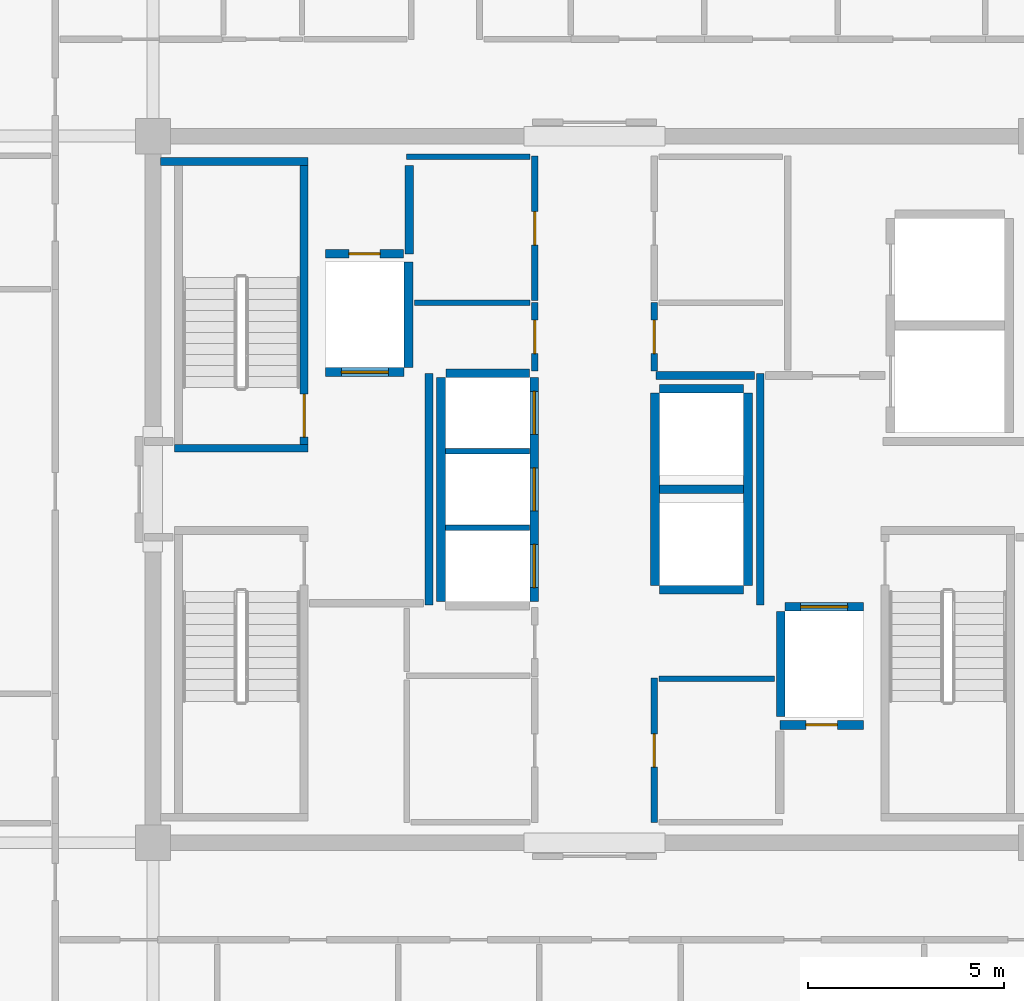
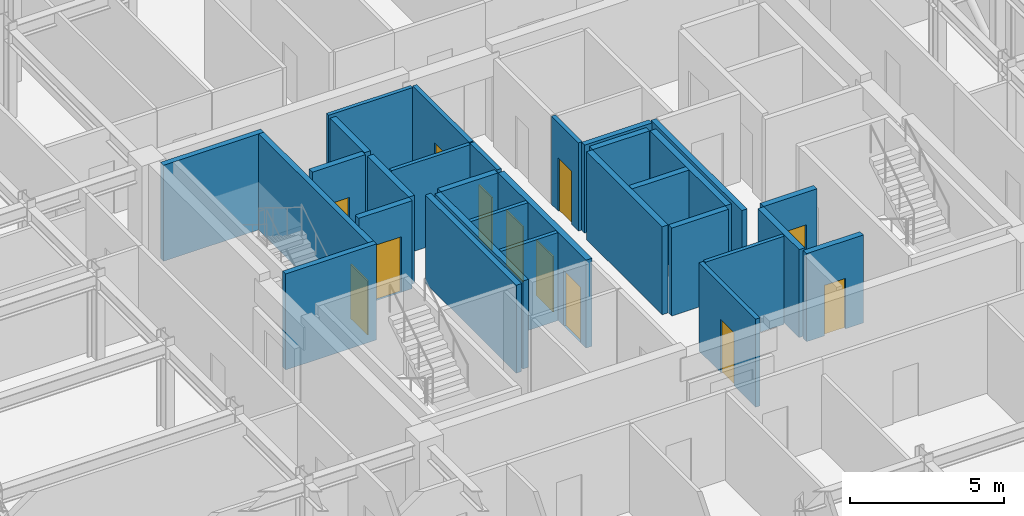
# One storey, part 12 of 16: 30 walls, 12 doors, 12 openings.
"""IFC4 building model written with IfcOpenShell, lengths in metres."""

from ifc_helpers import new_model, si_unit, direction, frame, frame_2d, origin, place, context, subcontext, project, spatial, rectangle, extrude, source, transform, mapped, material, layer, layer_set, type_object, element, fill, save


model = new_model("IFC4")

# Units and contexts
model_context = context("Model", 3, precision=1e-05, world=origin(), true_north=direction((0.0, 1.0)))
body_context = subcontext(model_context, "Body", "Model", "MODEL_VIEW")
ifc_project = project(units=[si_unit("LENGTHUNIT", "METRE"), si_unit("AREAUNIT", "SQUARE_METRE"), si_unit("VOLUMEUNIT", "CUBIC_METRE"), si_unit("PLANEANGLEUNIT", "RADIAN"), si_unit("MASSUNIT", "GRAM", prefix="KILO")], contexts=[model_context])

# Site, building, storey
site_placement = place(None, origin())
site = spatial("IfcSite", under=ifc_project, at=site_placement, CompositionType="ELEMENT")
building_placement = place(site_placement, origin())
building = spatial("IfcBuilding", under=site, at=building_placement, Name="Nefas-Gora Pilgrimage Tower", CompositionType="ELEMENT")
storey_placement = place(building_placement, frame((0.0, 0.0, 345.199951171875)))
storey = spatial("IfcBuildingStorey", under=building, at=storey_placement, Name="L87", CompositionType="ELEMENT", Elevation=345.199951171875)

# Wall
ifc_material_1 = material(Name="Concrete C45/55", Category="concrete")
ifc_layer_1 = layer(ifc_material_1, 0.199951171875)
ifc_layer_set_1 = layer_set([ifc_layer_1], Name="Concrete C45/55")
wall_type_1 = type_object("IfcWallType", Name="IW-STAIR-200", PredefinedType="SOLIDWALL", material=ifc_layer_set_1)
shared_shape_1 = source(origin(), body_context, "Body", "SweptSolid", [
    extrude(rectangle(XDim=3.39990234375, YDim=0.199951171875, at=frame_2d((1.699951171875, 0.0))), origin(), (0.0, 0.0, 1.0), 3.800048828125),
])
wall_1_placement = place(storey_placement, frame((-7.300048828125, 1.050048828125, 0.0), z_axis=(0.0, 0.0, 1.0), x_axis=(-1.0, 0.0, 0.0)))
element("IfcWall", 1, at=wall_1_placement, inside=storey, type_object=wall_type_1, Name="L87 Stairwell Shear Wall ST-01-near", PredefinedType="SOLIDWALL", context=body_context, shape_type="MappedRepresentation", body=[
    mapped(shared_shape_1, transform((0.0, 0.0, 0.0), x_axis=(1.0, 0.0, 0.0), y_axis=(0.0, 1.0, 0.0), z_axis=(0.0, 0.0, 1.0), scale=1.0)),
])

# Wall, opening, door
shared_shape_2 = source(origin(), body_context, "Body", "SweptSolid", [
    extrude(rectangle(XDim=7.10009765625, YDim=0.199951171875, at=frame_2d((3.550048828125, 0.0))), origin(), (0.0, 0.0, 1.0), 3.800048828125),
])
wall_2_placement = place(storey_placement, frame((-7.39990234375, 1.14990234375, 0.0), z_axis=(0.0, 0.0, 1.0), x_axis=(0.0, 1.0, 0.0)))
wall_2 = element("IfcWall", 2, at=wall_2_placement, inside=storey, type_object=wall_type_1, Name="L87 Stairwell Shear Wall ST-01-left", PredefinedType="SOLIDWALL", context=body_context, shape_type="MappedRepresentation", body=[
    mapped(shared_shape_2, transform((0.0, 0.0, 0.0), x_axis=(1.0, 0.0, 0.0), y_axis=(0.0, 1.0, 0.0), z_axis=(0.0, 0.0, 1.0), scale=1.0)),
])
opening_1_placement = place(wall_2_placement, frame((0.179931640625, 0.0, 0.0)))
opening_1 = element("IfcOpeningElement", 3, at=opening_1_placement, cuts=wall_2, Name="Opening ID-ST1", PredefinedType="OPENING", context=body_context, shape_type="SweptSolid", body=[
    extrude(rectangle(XDim=1.10009765625, YDim=2.14990234375, at=frame_2d((0.550048828125, 1.074951171875))), frame((0.0, 0.10986328125, 0.0), z_axis=(0.0, -1.0, 0.0), x_axis=(1.0, 0.0, 0.0)), (0.0, 0.0, 1.0), 0.219970703125),
])
ifc_material_2 = material(Name="Painted galvanised steel fire stair door", Category="steel")
door_type_1 = type_object("IfcDoorType", Name="DR-INT-STAIR-1100", OperationType="NOTDEFINED", PredefinedType="DOOR", material=ifc_material_2)
shared_shape_3 = source(origin(), body_context, "Body", "SweptSolid", [
    extrude(rectangle(XDim=1.10009765625, YDim=2.14990234375, at=frame_2d((0.550048828125, 1.074951171875))), frame((0.0, 0.02490234375, 0.0), z_axis=(0.0, -1.0, 0.0), x_axis=(1.0, 0.0, 0.0)), (0.0, 0.0, 1.0), 0.050048828125),
])
door_1_placement = place(opening_1_placement, origin())
door_1 = element("IfcDoor", 4, at=door_1_placement, inside=storey, type_object=door_type_1, Name="L87 Protected Exit Stair Door ST-01", OperationType="SINGLE_SWING_LEFT", OverallHeight=2.14990234375, OverallWidth=1.10009765625, PredefinedType="DOOR", context=body_context, shape_type="MappedRepresentation", body=[
    mapped(shared_shape_3, transform((0.0, 0.0, 0.0), x_axis=(1.0, 0.0, 0.0), y_axis=(0.0, 1.0, 0.0), z_axis=(0.0, 0.0, 1.0), scale=1.0)),
])
fill(opening_1, door_1)

# Wall
shared_shape_4 = source(origin(), body_context, "Body", "SweptSolid", [
    extrude(rectangle(XDim=3.7548828125, YDim=0.199951171875, at=frame_2d((1.87744140625, 0.0))), origin(), (0.0, 0.0, 1.0), 3.800048828125),
])
wall_3_placement = place(storey_placement, frame((-7.300048828125, 8.35009765625, 0.0), z_axis=(0.0, 0.0, 1.0), x_axis=(-1.0, 0.0, 0.0)))
element("IfcWall", 5, at=wall_3_placement, inside=storey, type_object=wall_type_1, Name="L87 Stairwell Shear Wall ST-01-far", PredefinedType="SOLIDWALL", context=body_context, shape_type="MappedRepresentation", body=[
    mapped(shared_shape_4, transform((0.0, 0.0, 0.0), x_axis=(1.0, 0.0, 0.0), y_axis=(0.0, 1.0, 0.0), z_axis=(0.0, 0.0, 1.0), scale=1.0)),
])

# Wall, opening, door
ifc_material_3 = material(Name="Concrete C40/50", Category="concrete")
ifc_layer_2 = layer(ifc_material_3, 0.219970703125)
ifc_layer_set_2 = layer_set([ifc_layer_2], Name="Concrete C40/50")
wall_type_2 = type_object("IfcWallType", Name="IW-SHAFT-220", PredefinedType="SOLIDWALL", material=ifc_layer_set_2)
shared_shape_5 = source(origin(), body_context, "Body", "SweptSolid", [
    extrude(rectangle(XDim=2.0, YDim=0.219970703125, at=frame_2d((1.0, 0.0))), origin(), (0.0, 0.0, 1.0), 3.485107421875),
])
wall_4_placement = place(storey_placement, frame((-6.85009765625, 2.989990234375, 0.0), z_axis=(0.0, 0.0, 1.0), x_axis=(1.0, 0.0, 0.0)))
wall_4 = element("IfcWall", 6, at=wall_4_placement, inside=storey, type_object=wall_type_2, Name="L87 Hoistway Wall FFL-01-S", PredefinedType="SOLIDWALL", context=body_context, shape_type="MappedRepresentation", body=[
    mapped(shared_shape_5, transform((0.0, 0.0, 0.0), x_axis=(1.0, 0.0, 0.0), y_axis=(0.0, 1.0, 0.0), z_axis=(0.0, 0.0, 1.0), scale=1.0)),
])
opening_2_placement = place(wall_4_placement, frame((0.39990234375, 0.0, 0.0)))
opening_2 = element("IfcOpeningElement", 7, at=opening_2_placement, cuts=wall_4, Name="Opening LD-FF", PredefinedType="OPENING", context=body_context, shape_type="SweptSolid", body=[
    extrude(rectangle(XDim=1.199951171875, YDim=2.199951171875, at=frame_2d((0.60009765625, 1.10009765625))), frame((0.0, 0.119873046875, 0.0), z_axis=(0.0, -1.0, 0.0), x_axis=(1.0, 0.0, 0.0)), (0.0, 0.0, 1.0), 0.239990234375),
])
ifc_material_4 = material(Name="Fire-service sliding lift landing door")
door_type_2 = type_object("IfcDoorType", Name="DR-LIFT-FSAE-1200", OperationType="SLIDING_TO_LEFT", PredefinedType="DOOR", material=ifc_material_4)
shared_shape_6 = source(origin(), body_context, "Body", "SweptSolid", [
    extrude(rectangle(XDim=1.199951171875, YDim=2.199951171875, at=frame_2d((0.60009765625, 1.10009765625))), frame((0.0, 0.02490234375, 0.0), z_axis=(0.0, -1.0, 0.0), x_axis=(1.0, 0.0, 0.0)), (0.0, 0.0, 1.0), 0.050048828125),
])
door_2_placement = place(opening_2_placement, origin())
door_2 = element("IfcDoor", 8, at=door_2_placement, inside=storey, type_object=door_type_2, Name="L87 Sliding Lift Landing Door FFL-01", OperationType="SLIDING_TO_LEFT", OverallHeight=2.199951171875, OverallWidth=1.199951171875, PredefinedType="DOOR", context=body_context, shape_type="MappedRepresentation", body=[
    mapped(shared_shape_6, transform((0.0, 0.0, 0.0), x_axis=(1.0, 0.0, 0.0), y_axis=(0.0, 1.0, 0.0), z_axis=(0.0, 0.0, 1.0), scale=1.0)),
])
fill(opening_2, door_2)

wall_5_placement = place(storey_placement, frame((6.85009765625, -2.989990234375, 0.0), z_axis=(0.0, 0.0, 1.0), x_axis=(-1.0, 0.0, 0.0)))
wall_5 = element("IfcWall", 9, at=wall_5_placement, inside=storey, type_object=wall_type_2, Name="L87 Hoistway Wall FFL-02-N", PredefinedType="SOLIDWALL", context=body_context, shape_type="MappedRepresentation", body=[
    mapped(shared_shape_5, transform((0.0, 0.0, 0.0), x_axis=(1.0, 0.0, 0.0), y_axis=(0.0, 1.0, 0.0), z_axis=(0.0, 0.0, 1.0), scale=1.0)),
])
opening_3_placement = place(wall_5_placement, frame((0.39990234375, 0.0, 0.0)))
opening_3 = element("IfcOpeningElement", 10, at=opening_3_placement, cuts=wall_5, Name="Opening LD-FF", PredefinedType="OPENING", context=body_context, shape_type="SweptSolid", body=[
    extrude(rectangle(XDim=1.199951171875, YDim=2.199951171875, at=frame_2d((0.60009765625, 1.10009765625))), frame((0.0, 0.119873046875, 0.0), z_axis=(0.0, -1.0, 0.0), x_axis=(1.0, 0.0, 0.0)), (0.0, 0.0, 1.0), 0.239990234375),
])
door_3_placement = place(opening_3_placement, origin())
door_3 = element("IfcDoor", 11, at=door_3_placement, inside=storey, type_object=door_type_2, Name="L87 Sliding Lift Landing Door FFL-02", OperationType="SLIDING_TO_LEFT", OverallHeight=2.199951171875, OverallWidth=1.199951171875, PredefinedType="DOOR", context=body_context, shape_type="MappedRepresentation", body=[
    mapped(shared_shape_6, transform((0.0, 0.0, 0.0), x_axis=(1.0, 0.0, 0.0), y_axis=(0.0, 1.0, 0.0), z_axis=(0.0, 0.0, 1.0), scale=1.0)),
])
fill(opening_3, door_3)

# Walls
shared_shape_7 = source(origin(), body_context, "Body", "SweptSolid", [
    extrude(rectangle(XDim=2.679931640625, YDim=0.219970703125, at=frame_2d((1.33984375, 0.0))), origin(), (0.0, 0.0, 1.0), 3.485107421875),
])
for number, where, z_axis, x_axis, name in (
    (12, (-4.739990234375, 3.110107421875, 0.0), (0.0, 0.0, 1.0), (0.0, 1.0, 0.0), "L87 Hoistway Wall FFL-01-E"),
    (13, (4.739990234375, -3.110107421875, 0.0), (0.0, 0.0, 1.0), (0.0, -1.0, 0.0), "L87 Hoistway Wall FFL-02-W"),
):
    element("IfcWall", number, at=place(storey_placement, frame(where, z_axis=z_axis, x_axis=x_axis)), inside=storey, type_object=wall_type_2, Name=name, PredefinedType="SOLIDWALL", context=body_context, shape_type="MappedRepresentation", body=[
        mapped(shared_shape_7, transform((0.0, 0.0, 0.0), x_axis=(1.0, 0.0, 0.0), y_axis=(0.0, 1.0, 0.0), z_axis=(0.0, 0.0, 1.0), scale=1.0)),
    ])

# Wall, openings, doors
shared_shape_8 = source(origin(), body_context, "Body", "SweptSolid", [
    extrude(rectangle(XDim=5.7001953125, YDim=0.219970703125, at=frame_2d((2.85009765625, 0.0))), origin(), (0.0, 0.0, 1.0), 3.485107421875),
])
wall_6_placement = place(storey_placement, frame((-1.5400390625, -2.85009765625, 0.0), z_axis=(0.0, 0.0, 1.0), x_axis=(0.0, 1.0, 0.0)))
wall_6 = element("IfcWall", 14, at=wall_6_placement, inside=storey, type_object=wall_type_2, Name="L87 Hoistway Wall PL3-01-03-E", PredefinedType="SOLIDWALL", context=body_context, shape_type="MappedRepresentation", body=[
    mapped(shared_shape_8, transform((0.0, 0.0, 0.0), x_axis=(1.0, 0.0, 0.0), y_axis=(0.0, 1.0, 0.0), z_axis=(0.0, 0.0, 1.0), scale=1.0)),
])
opening_4_placement = place(wall_6_placement, frame((0.35009765625, 0.0, 0.0)))
opening_4 = element("IfcOpeningElement", 15, at=opening_4_placement, cuts=wall_6, Name="Opening LD-01", PredefinedType="OPENING", context=body_context, shape_type="SweptSolid", body=[
    extrude(rectangle(XDim=1.10009765625, YDim=2.199951171875, at=frame_2d((0.550048828125, 1.10009765625))), frame((0.0, 0.119873046875, 0.0), z_axis=(0.0, -1.0, 0.0), x_axis=(1.0, 0.0, 0.0)), (0.0, 0.0, 1.0), 0.239990234375),
])
opening_5_placement = place(wall_6_placement, frame((2.300048828125, 0.0, 0.0)))
opening_5 = element("IfcOpeningElement", 16, at=opening_5_placement, cuts=wall_6, Name="Opening LD-01", PredefinedType="OPENING", context=body_context, shape_type="SweptSolid", body=[
    extrude(rectangle(XDim=1.10009765625, YDim=2.199951171875, at=frame_2d((0.550048828125, 1.10009765625))), frame((0.0, 0.119873046875, 0.0), z_axis=(0.0, -1.0, 0.0), x_axis=(1.0, 0.0, 0.0)), (0.0, 0.0, 1.0), 0.239990234375),
])
opening_6_placement = place(wall_6_placement, frame((4.25, 0.0, 0.0)))
opening_6 = element("IfcOpeningElement", 17, at=opening_6_placement, cuts=wall_6, Name="Opening LD-01", PredefinedType="OPENING", context=body_context, shape_type="SweptSolid", body=[
    extrude(rectangle(XDim=1.10009765625, YDim=2.199951171875, at=frame_2d((0.550048828125, 1.10009765625))), frame((0.0, 0.119873046875, 0.0), z_axis=(0.0, -1.0, 0.0), x_axis=(1.0, 0.0, 0.0)), (0.0, 0.0, 1.0), 0.239990234375),
])
ifc_material_5 = material(Name="Brushed stainless sliding lift landing door")
door_type_3 = type_object("IfcDoorType", Name="DR-LIFT-PASS-1100", OperationType="DOUBLE_DOOR_SLIDING", PredefinedType="DOOR", material=ifc_material_5)
shared_shape_9 = source(origin(), body_context, "Body", "SweptSolid", [
    extrude(rectangle(XDim=1.10009765625, YDim=2.199951171875, at=frame_2d((0.550048828125, 1.10009765625))), frame((0.0, 0.02490234375, 0.0), z_axis=(0.0, -1.0, 0.0), x_axis=(1.0, 0.0, 0.0)), (0.0, 0.0, 1.0), 0.050048828125),
])
door_4_placement = place(opening_4_placement, origin())
door_4 = element("IfcDoor", 18, at=door_4_placement, inside=storey, type_object=door_type_3, Name="L87 Sliding Lift Landing Door PL3-01", OperationType="DOUBLE_DOOR_SLIDING", OverallHeight=2.199951171875, OverallWidth=1.10009765625, PredefinedType="DOOR", context=body_context, shape_type="MappedRepresentation", body=[
    mapped(shared_shape_9, transform((0.0, 0.0, 0.0), x_axis=(1.0, 0.0, 0.0), y_axis=(0.0, 1.0, 0.0), z_axis=(0.0, 0.0, 1.0), scale=1.0)),
])
fill(opening_4, door_4)
door_5_placement = place(opening_5_placement, origin())
door_5 = element("IfcDoor", 19, at=door_5_placement, inside=storey, type_object=door_type_3, Name="L87 Sliding Lift Landing Door PL3-02", OperationType="DOUBLE_DOOR_SLIDING", OverallHeight=2.199951171875, OverallWidth=1.10009765625, PredefinedType="DOOR", context=body_context, shape_type="MappedRepresentation", body=[
    mapped(shared_shape_9, transform((0.0, 0.0, 0.0), x_axis=(1.0, 0.0, 0.0), y_axis=(0.0, 1.0, 0.0), z_axis=(0.0, 0.0, 1.0), scale=1.0)),
])
fill(opening_5, door_5)
door_6_placement = place(opening_6_placement, origin())
door_6 = element("IfcDoor", 20, at=door_6_placement, inside=storey, type_object=door_type_3, Name="L87 Sliding Lift Landing Door PL3-03", OperationType="DOUBLE_DOOR_SLIDING", OverallHeight=2.199951171875, OverallWidth=1.10009765625, PredefinedType="DOOR", context=body_context, shape_type="MappedRepresentation", body=[
    mapped(shared_shape_9, transform((0.0, 0.0, 0.0), x_axis=(1.0, 0.0, 0.0), y_axis=(0.0, 1.0, 0.0), z_axis=(0.0, 0.0, 1.0), scale=1.0)),
])
fill(opening_6, door_6)

# Walls
wall_7_placement = place(storey_placement, frame((-3.909912109375, 2.85009765625, 0.0), z_axis=(0.0, 0.0, 1.0), x_axis=(0.0, -1.0, 0.0)))
element("IfcWall", 21, at=wall_7_placement, inside=storey, type_object=wall_type_2, Name="L87 Hoistway Wall PL3-01-03-W", PredefinedType="SOLIDWALL", context=body_context, shape_type="MappedRepresentation", body=[
    mapped(shared_shape_8, transform((0.0, 0.0, 0.0), x_axis=(1.0, 0.0, 0.0), y_axis=(0.0, 1.0, 0.0), z_axis=(0.0, 0.0, 1.0), scale=1.0)),
])
shared_shape_10 = source(origin(), body_context, "Body", "SweptSolid", [
    extrude(rectangle(XDim=2.130126953125, YDim=0.219970703125, at=frame_2d((1.06494140625, 0.0))), origin(), (0.0, 0.0, 1.0), 3.485107421875),
])
for number, where, z_axis, x_axis, name in (
    (22, (-1.659912109375, 2.9599609375, 0.0), (0.0, 0.0, 1.0), (-1.0, 0.0, 0.0), "L87 Hoistway Wall PL3-03-N"),
    (23, (1.659912109375, -2.56005859375, 0.0), (0.0, 0.0, 1.0), (1.0, 0.0, 0.0), "L87 Hoistway Wall OBS-01-S"),
    (24, (1.659912109375, 0.0, 0.0), (0.0, 0.0, 1.0), (1.0, 0.0, 0.0), "L87 Hoistway Wall OBS-01-02-DIV"),
    (25, (3.7900390625, 2.56005859375, 0.0), (0.0, 0.0, 1.0), (-1.0, 0.0, 0.0), "L87 Hoistway Wall OBS-02-N"),
):
    element("IfcWall", number, at=place(storey_placement, frame(where, z_axis=z_axis, x_axis=x_axis)), inside=storey, type_object=wall_type_2, Name=name, PredefinedType="SOLIDWALL", context=body_context, shape_type="MappedRepresentation", body=[
        mapped(shared_shape_10, transform((0.0, 0.0, 0.0), x_axis=(1.0, 0.0, 0.0), y_axis=(0.0, 1.0, 0.0), z_axis=(0.0, 0.0, 1.0), scale=1.0)),
    ])

# Wall, opening, door
wall_8_placement = place(storey_placement, frame((4.719970703125, -6.0, 0.0), z_axis=(0.0, 0.0, 1.0), x_axis=(1.0, 0.0, 0.0)))
wall_8 = element("IfcWall", 26, at=wall_8_placement, inside=storey, type_object=wall_type_2, Name="L87 Riser Shaft Wall 3", PredefinedType="SOLIDWALL", context=body_context, shape_type="MappedRepresentation", body=[
    mapped(shared_shape_10, transform((0.0, 0.0, 0.0), x_axis=(1.0, 0.0, 0.0), y_axis=(0.0, 1.0, 0.0), z_axis=(0.0, 0.0, 1.0), scale=1.0)),
])
opening_7_placement = place(wall_8_placement, frame((0.6650390625, 0.0, 0.0)))
opening_7 = element("IfcOpeningElement", 27, at=opening_7_placement, cuts=wall_8, Name="Opening ID-TR1", PredefinedType="OPENING", context=body_context, shape_type="SweptSolid", body=[
    extrude(rectangle(XDim=0.800048828125, YDim=2.0, at=frame_2d((0.39990234375, 1.0))), frame((0.0, 0.119873046875, 0.0), z_axis=(0.0, -1.0, 0.0), x_axis=(1.0, 0.0, 0.0)), (0.0, 0.0, 1.0), 0.239990234375),
])
ifc_material_6 = material(Name="Riser maintenance fire access door")
door_type_4 = type_object("IfcDoorType", Name="DR-INT-TRAP-800", OperationType="NOTDEFINED", PredefinedType="TRAPDOOR", material=ifc_material_6)
shared_shape_11 = source(origin(), body_context, "Body", "SweptSolid", [
    extrude(rectangle(XDim=0.800048828125, YDim=2.0, at=frame_2d((0.39990234375, 1.0))), frame((0.0, 0.02490234375, 0.0), z_axis=(0.0, -1.0, 0.0), x_axis=(1.0, 0.0, 0.0)), (0.0, 0.0, 1.0), 0.050048828125),
])
door_7_placement = place(opening_7_placement, origin())
door_7 = element("IfcDoor", 28, at=door_7_placement, inside=storey, type_object=door_type_4, Name="L87 Riser Shaft Door 2", OperationType="SINGLE_SWING_LEFT", OverallHeight=2.0, OverallWidth=0.800048828125, PredefinedType="TRAPDOOR", context=body_context, shape_type="MappedRepresentation", body=[
    mapped(shared_shape_11, transform((0.0, 0.0, 0.0), x_axis=(1.0, 0.0, 0.0), y_axis=(0.0, 1.0, 0.0), z_axis=(0.0, 0.0, 1.0), scale=1.0)),
])
fill(opening_7, door_7)

# Walls
ifc_material_7 = material(Name="Gypsum twin-stud partition")
ifc_layer_3 = layer(ifc_material_7, 0.139892578125)
ifc_layer_set_3 = layer_set([ifc_layer_3], Name="Gypsum twin-stud partition")
wall_type_3 = type_object("IfcWallType", Name="IW-UNIT-140", PredefinedType="PARTITIONING", material=ifc_layer_set_3)
shared_shape_12 = source(origin(), body_context, "Body", "SweptSolid", [
    extrude(rectangle(XDim=2.130126953125, YDim=0.139892578125, at=frame_2d((1.06494140625, 0.0))), origin(), (0.0, 0.0, 1.0), 3.485107421875),
])
for number, where, z_axis, x_axis, name in (
    (29, (-3.7900390625, -0.97509765625, 0.0), (0.0, 0.0, 1.0), (1.0, 0.0, 0.0), "L87 Hoistway Wall PL3-01-02-DIV"),
    (30, (-3.7900390625, 0.97509765625, 0.0), (0.0, 0.0, 1.0), (1.0, 0.0, 0.0), "L87 Hoistway Wall PL3-02-03-DIV"),
):
    element("IfcWall", number, at=place(storey_placement, frame(where, z_axis=z_axis, x_axis=x_axis)), inside=storey, type_object=wall_type_3, Name=name, PredefinedType="PARTITIONING", context=body_context, shape_type="MappedRepresentation", body=[
        mapped(shared_shape_12, transform((0.0, 0.0, 0.0), x_axis=(1.0, 0.0, 0.0), y_axis=(0.0, 1.0, 0.0), z_axis=(0.0, 0.0, 1.0), scale=1.0)),
    ])
shared_shape_13 = source(origin(), body_context, "Body", "SweptSolid", [
    extrude(rectangle(XDim=4.89990234375, YDim=0.219970703125, at=frame_2d((2.449951171875, 0.0))), origin(), (0.0, 0.0, 1.0), 3.485107421875),
])
for number, where, z_axis, x_axis, name in (
    (31, (1.5400390625, 2.449951171875, 0.0), (0.0, 0.0, 1.0), (0.0, -1.0, 0.0), "L87 Hoistway Wall OBS-01-02-W"),
    (32, (3.909912109375, -2.449951171875, 0.0), (0.0, 0.0, 1.0), (0.0, 1.0, 0.0), "L87 Hoistway Wall OBS-01-02-E"),
):
    element("IfcWall", number, at=place(storey_placement, frame(where, z_axis=z_axis, x_axis=x_axis)), inside=storey, type_object=wall_type_2, Name=name, PredefinedType="SOLIDWALL", context=body_context, shape_type="MappedRepresentation", body=[
        mapped(shared_shape_13, transform((0.0, 0.0, 0.0), x_axis=(1.0, 0.0, 0.0), y_axis=(0.0, 1.0, 0.0), z_axis=(0.0, 0.0, 1.0), scale=1.0)),
    ])
ifc_material_8 = material(Name="Gypsum fire-rated shaftwall")
ifc_layer_4 = layer(ifc_material_8, 0.199951171875)
ifc_layer_set_4 = layer_set([ifc_layer_4], Name="Gypsum fire-rated shaftwall")
wall_type_4 = type_object("IfcWallType", Name="IW-FFLOB-200", PredefinedType="PARTITIONING", material=ifc_layer_set_4)
shared_shape_14 = source(origin(), body_context, "Body", "SweptSolid", [
    extrude(rectangle(XDim=5.89990234375, YDim=0.199951171875, at=frame_2d((2.949951171875, 0.0))), origin(), (0.0, 0.0, 1.0), 3.485107421875),
])
for number, where, z_axis, x_axis, name in (
    (33, (-4.219970703125, -2.949951171875, 0.0), (0.0, 0.0, 1.0), (0.0, 1.0, 0.0), "L87 FF Lobby West Inner Wall Wall 6"),
    (34, (4.219970703125, -2.949951171875, 0.0), (0.0, 0.0, 1.0), (0.0, 1.0, 0.0), "L87 FF Lobby East Inner Wall Wall 11"),
):
    element("IfcWall", number, at=place(storey_placement, frame(where, z_axis=z_axis, x_axis=x_axis)), inside=storey, type_object=wall_type_4, Name=name, PredefinedType="PARTITIONING", context=body_context, shape_type="MappedRepresentation", body=[
        mapped(shared_shape_14, transform((0.0, 0.0, 0.0), x_axis=(1.0, 0.0, 0.0), y_axis=(0.0, 1.0, 0.0), z_axis=(0.0, 0.0, 1.0), scale=1.0)),
    ])
shared_shape_15 = source(origin(), body_context, "Body", "SweptSolid", [
    extrude(rectangle(XDim=2.9501953125, YDim=0.139892578125, at=frame_2d((1.47509765625, 0.0))), origin(), (0.0, 0.0, 1.0), 3.485107421875),
])
for number, where, z_axis, x_axis, name in (
    (35, (-4.590087890625, 4.75, 0.0), (0.0, 0.0, 1.0), (1.0, 0.0, 0.0), "L87 Housekeeping and Linen Store Partition Wall 24"),
    (36, (1.639892578125, -4.820068359375, 0.0), (0.0, 0.0, 1.0), (1.0, 0.0, 0.0), "L87 High-Rise Tableware Store Partition Wall 38"),
):
    element("IfcWall", number, at=place(storey_placement, frame(where, z_axis=z_axis, x_axis=x_axis)), inside=storey, type_object=wall_type_3, Name=name, PredefinedType="PARTITIONING", context=body_context, shape_type="MappedRepresentation", body=[
        mapped(shared_shape_15, transform((0.0, 0.0, 0.0), x_axis=(1.0, 0.0, 0.0), y_axis=(0.0, 1.0, 0.0), z_axis=(0.0, 0.0, 1.0), scale=1.0)),
    ])
shared_shape_16 = source(origin(), body_context, "Body", "SweptSolid", [
    extrude(rectangle(XDim=3.150146484375, YDim=0.139892578125, at=frame_2d((1.5751953125, 0.0))), origin(), (0.0, 0.0, 1.0), 3.485107421875),
])
wall_9_placement = place(storey_placement, frame((-4.7900390625, 8.47998046875, 0.0), z_axis=(0.0, 0.0, 1.0), x_axis=(1.0, 0.0, 0.0)))
element("IfcWall", 37, at=wall_9_placement, inside=storey, type_object=wall_type_3, Name="L87 Archival Supply Store Partition Wall 26", PredefinedType="PARTITIONING", context=body_context, shape_type="MappedRepresentation", body=[
    mapped(shared_shape_16, transform((0.0, 0.0, 0.0), x_axis=(1.0, 0.0, 0.0), y_axis=(0.0, 1.0, 0.0), z_axis=(0.0, 0.0, 1.0), scale=1.0)),
])
shared_shape_17 = source(origin(), body_context, "Body", "SweptSolid", [
    extrude(rectangle(XDim=2.25, YDim=0.219970703125, at=frame_2d((1.125, 0.0))), origin(), (0.0, 0.0, 1.0), 3.485107421875),
])
wall_10_placement = place(storey_placement, frame((-4.719970703125, 6.0, 0.0), z_axis=(0.0, 0.0, 1.0), x_axis=(0.0, 1.0, 0.0)))
element("IfcWall", 38, at=wall_10_placement, inside=storey, type_object=wall_type_2, Name="L87 Riser Shaft Wall 1", PredefinedType="SOLIDWALL", context=body_context, shape_type="MappedRepresentation", body=[
    mapped(shared_shape_17, transform((0.0, 0.0, 0.0), x_axis=(1.0, 0.0, 0.0), y_axis=(0.0, 1.0, 0.0), z_axis=(0.0, 0.0, 1.0), scale=1.0)),
])

# Wall, opening, door
shared_shape_18 = source(origin(), body_context, "Body", "SweptSolid", [
    extrude(rectangle(XDim=1.97998046875, YDim=0.219970703125, at=frame_2d((0.989990234375, 0.0))), origin(), (0.0, 0.0, 1.0), 3.485107421875),
])
wall_11_placement = place(storey_placement, frame((-6.85009765625, 6.0, 0.0), z_axis=(0.0, 0.0, 1.0), x_axis=(1.0, 0.0, 0.0)))
wall_11 = element("IfcWall", 39, at=wall_11_placement, inside=storey, type_object=wall_type_2, Name="L87 Riser Shaft Wall 2", PredefinedType="SOLIDWALL", context=body_context, shape_type="MappedRepresentation", body=[
    mapped(shared_shape_18, transform((0.0, 0.0, 0.0), x_axis=(1.0, 0.0, 0.0), y_axis=(0.0, 1.0, 0.0), z_axis=(0.0, 0.0, 1.0), scale=1.0)),
])
opening_8_placement = place(wall_11_placement, frame((0.590087890625, 0.0, 0.0)))
opening_8 = element("IfcOpeningElement", 40, at=opening_8_placement, cuts=wall_11, Name="Opening ID-TR1", PredefinedType="OPENING", context=body_context, shape_type="SweptSolid", body=[
    extrude(rectangle(XDim=0.800048828125, YDim=2.0, at=frame_2d((0.39990234375, 1.0))), frame((0.0, 0.119873046875, 0.0), z_axis=(0.0, -1.0, 0.0), x_axis=(1.0, 0.0, 0.0)), (0.0, 0.0, 1.0), 0.239990234375),
])
door_8_placement = place(opening_8_placement, origin())
door_8 = element("IfcDoor", 41, at=door_8_placement, inside=storey, type_object=door_type_4, Name="L87 Riser Shaft Door 1", OperationType="SINGLE_SWING_RIGHT", OverallHeight=2.0, OverallWidth=0.800048828125, PredefinedType="TRAPDOOR", context=body_context, shape_type="MappedRepresentation", body=[
    mapped(shared_shape_11, transform((0.0, 0.0, 0.0), x_axis=(1.0, 0.0, 0.0), y_axis=(0.0, 1.0, 0.0), z_axis=(0.0, 0.0, 1.0), scale=1.0)),
])
fill(opening_8, door_8)

# Wall
shared_shape_19 = source(origin(), body_context, "Body", "SweptSolid", [
    extrude(rectangle(XDim=2.52001953125, YDim=0.199951171875, at=frame_2d((1.260009765625, 0.0))), origin(), (0.0, 0.0, 1.0), 3.485107421875),
])
wall_12_placement = place(storey_placement, frame((1.56005859375, 2.89990234375, 0.0), z_axis=(0.0, 0.0, 1.0), x_axis=(1.0, 0.0, 0.0)))
element("IfcWall", 42, at=wall_12_placement, inside=storey, type_object=wall_type_4, Name="L87 FF Lobby East North Wall Wall 12", PredefinedType="PARTITIONING", context=body_context, shape_type="MappedRepresentation", body=[
    mapped(shared_shape_19, transform((0.0, 0.0, 0.0), x_axis=(1.0, 0.0, 0.0), y_axis=(0.0, 1.0, 0.0), z_axis=(0.0, 0.0, 1.0), scale=1.0)),
])

# Wall, opening, door
ifc_material_9 = material(Name="Gypsum acoustic stud partition")
ifc_layer_5 = layer(ifc_material_9, 0.159912109375)
ifc_layer_set_5 = layer_set([ifc_layer_5], Name="Gypsum acoustic stud partition")
wall_type_5 = type_object("IfcWallType", Name="IW-CORR-160", PredefinedType="PARTITIONING", material=ifc_layer_set_5)
shared_shape_20 = source(origin(), body_context, "Body", "SweptSolid", [
    extrude(rectangle(XDim=1.75, YDim=0.159912109375, at=frame_2d((0.875, 0.0))), origin(), (0.0, 0.0, 1.0), 3.485107421875),
])
wall_13_placement = place(storey_placement, frame((-1.52001953125, 3.010009765625, 0.0), z_axis=(0.0, 0.0, 1.0), x_axis=(0.0, 1.0, 0.0)))
wall_13 = element("IfcWall", 43, at=wall_13_placement, inside=storey, type_object=wall_type_5, Name="L87 Housekeeping and Linen Store Wall 23", PredefinedType="PARTITIONING", context=body_context, shape_type="MappedRepresentation", body=[
    mapped(shared_shape_20, transform((0.0, 0.0, 0.0), x_axis=(1.0, 0.0, 0.0), y_axis=(0.0, 1.0, 0.0), z_axis=(0.0, 0.0, 1.0), scale=1.0)),
])
opening_9_placement = place(wall_13_placement, frame((0.449951171875, 0.0, 0.0)))
opening_9 = element("IfcOpeningElement", 44, at=opening_9_placement, cuts=wall_13, Name="Opening ID-BT1", PredefinedType="OPENING", context=body_context, shape_type="SweptSolid", body=[
    extrude(rectangle(XDim=0.85009765625, YDim=2.10009765625, at=frame_2d((0.425048828125, 1.050048828125))), frame((0.0, 0.08984375, 0.0), z_axis=(0.0, -1.0, 0.0), x_axis=(1.0, 0.0, 0.0)), (0.0, 0.0, 1.0), 0.179931640625),
])
ifc_material_10 = material(Name="Moisture-resistant fire-rated timber door", Category="wood")
door_type_5 = type_object("IfcDoorType", Name="DR-INT-BATH-850", OperationType="NOTDEFINED", PredefinedType="DOOR", material=ifc_material_10)
shared_shape_21 = source(origin(), body_context, "Body", "SweptSolid", [
    extrude(rectangle(XDim=0.85009765625, YDim=2.10009765625, at=frame_2d((0.425048828125, 1.050048828125))), frame((0.0, 0.02490234375, 0.0), z_axis=(0.0, -1.0, 0.0), x_axis=(1.0, 0.0, 0.0)), (0.0, 0.0, 1.0), 0.050048828125),
])
door_9_placement = place(opening_9_placement, origin())
door_9 = element("IfcDoor", 45, at=door_9_placement, inside=storey, type_object=door_type_5, Name="L87 Housekeeping and Linen Store Door 9", OperationType="SINGLE_SWING_RIGHT", OverallHeight=2.10009765625, OverallWidth=0.85009765625, PredefinedType="DOOR", context=body_context, shape_type="MappedRepresentation", body=[
    mapped(shared_shape_21, transform((0.0, 0.0, 0.0), x_axis=(1.0, 0.0, 0.0), y_axis=(0.0, 1.0, 0.0), z_axis=(0.0, 0.0, 1.0), scale=1.0)),
])
fill(opening_9, door_9)

wall_14_placement = place(storey_placement, frame((1.52001953125, 3.010009765625, 0.0), z_axis=(0.0, 0.0, 1.0), x_axis=(0.0, 1.0, 0.0)))
wall_14 = element("IfcWall", 46, at=wall_14_placement, inside=storey, type_object=wall_type_5, Name="L87 Clean Blanket and Robe Store Wall 27", PredefinedType="PARTITIONING", context=body_context, shape_type="MappedRepresentation", body=[
    mapped(shared_shape_20, transform((0.0, 0.0, 0.0), x_axis=(1.0, 0.0, 0.0), y_axis=(0.0, 1.0, 0.0), z_axis=(0.0, 0.0, 1.0), scale=1.0)),
])
opening_10_placement = place(wall_14_placement, frame((0.449951171875, 0.0, 0.0)))
opening_10 = element("IfcOpeningElement", 47, at=opening_10_placement, cuts=wall_14, Name="Opening ID-BT1", PredefinedType="OPENING", context=body_context, shape_type="SweptSolid", body=[
    extrude(rectangle(XDim=0.85009765625, YDim=2.10009765625, at=frame_2d((0.425048828125, 1.050048828125))), frame((0.0, 0.08984375, 0.0), z_axis=(0.0, -1.0, 0.0), x_axis=(1.0, 0.0, 0.0)), (0.0, 0.0, 1.0), 0.179931640625),
])
door_10_placement = place(opening_10_placement, origin())
door_10 = element("IfcDoor", 48, at=door_10_placement, inside=storey, type_object=door_type_5, Name="L87 Clean Blanket and Robe Store Door 11", OperationType="SINGLE_SWING_RIGHT", OverallHeight=2.10009765625, OverallWidth=0.85009765625, PredefinedType="DOOR", context=body_context, shape_type="MappedRepresentation", body=[
    mapped(shared_shape_21, transform((0.0, 0.0, 0.0), x_axis=(1.0, 0.0, 0.0), y_axis=(0.0, 1.0, 0.0), z_axis=(0.0, 0.0, 1.0), scale=1.0)),
])
fill(opening_10, door_10)

shared_shape_22 = source(origin(), body_context, "Body", "SweptSolid", [
    extrude(rectangle(XDim=3.679931640625, YDim=0.159912109375, at=frame_2d((1.83984375, 0.0))), origin(), (0.0, 0.0, 1.0), 3.485107421875),
])
wall_15_placement = place(storey_placement, frame((-1.52001953125, 4.81005859375, 0.0), z_axis=(0.0, 0.0, 1.0), x_axis=(0.0, 1.0, 0.0)))
wall_15 = element("IfcWall", 49, at=wall_15_placement, inside=storey, type_object=wall_type_5, Name="L87 Archival Supply Store Wall 25", PredefinedType="PARTITIONING", context=body_context, shape_type="MappedRepresentation", body=[
    mapped(shared_shape_22, transform((0.0, 0.0, 0.0), x_axis=(1.0, 0.0, 0.0), y_axis=(0.0, 1.0, 0.0), z_axis=(0.0, 0.0, 1.0), scale=1.0)),
])
opening_11_placement = place(wall_15_placement, frame((1.4150390625, 0.0, 0.0)))
opening_11 = element("IfcOpeningElement", 50, at=opening_11_placement, cuts=wall_15, Name="Opening ID-BT1", PredefinedType="OPENING", context=body_context, shape_type="SweptSolid", body=[
    extrude(rectangle(XDim=0.85009765625, YDim=2.10009765625, at=frame_2d((0.425048828125, 1.050048828125))), frame((0.0, 0.08984375, 0.0), z_axis=(0.0, -1.0, 0.0), x_axis=(1.0, 0.0, 0.0)), (0.0, 0.0, 1.0), 0.179931640625),
])
door_11_placement = place(opening_11_placement, origin())
door_11 = element("IfcDoor", 51, at=door_11_placement, inside=storey, type_object=door_type_5, Name="L87 Archival Supply Store Door 10", OperationType="SINGLE_SWING_LEFT", OverallHeight=2.10009765625, OverallWidth=0.85009765625, PredefinedType="DOOR", context=body_context, shape_type="MappedRepresentation", body=[
    mapped(shared_shape_21, transform((0.0, 0.0, 0.0), x_axis=(1.0, 0.0, 0.0), y_axis=(0.0, 1.0, 0.0), z_axis=(0.0, 0.0, 1.0), scale=1.0)),
])
fill(opening_11, door_11)

wall_16_placement = place(storey_placement, frame((1.52001953125, -8.489990234375, 0.0), z_axis=(0.0, 0.0, 1.0), x_axis=(0.0, 1.0, 0.0)))
wall_16 = element("IfcWall", 52, at=wall_16_placement, inside=storey, type_object=wall_type_5, Name="L87 High-Rise Tableware Store Wall 37", PredefinedType="PARTITIONING", context=body_context, shape_type="MappedRepresentation", body=[
    mapped(shared_shape_22, transform((0.0, 0.0, 0.0), x_axis=(1.0, 0.0, 0.0), y_axis=(0.0, 1.0, 0.0), z_axis=(0.0, 0.0, 1.0), scale=1.0)),
])
opening_12_placement = place(wall_16_placement, frame((1.4150390625, 0.0, 0.0)))
opening_12 = element("IfcOpeningElement", 53, at=opening_12_placement, cuts=wall_16, Name="Opening ID-BT1", PredefinedType="OPENING", context=body_context, shape_type="SweptSolid", body=[
    extrude(rectangle(XDim=0.85009765625, YDim=2.10009765625, at=frame_2d((0.425048828125, 1.050048828125))), frame((0.0, 0.08984375, 0.0), z_axis=(0.0, -1.0, 0.0), x_axis=(1.0, 0.0, 0.0)), (0.0, 0.0, 1.0), 0.179931640625),
])
door_12_placement = place(opening_12_placement, origin())
door_12 = element("IfcDoor", 54, at=door_12_placement, inside=storey, type_object=door_type_5, Name="L87 High-Rise Tableware Store Door 15", OperationType="SINGLE_SWING_RIGHT", OverallHeight=2.10009765625, OverallWidth=0.85009765625, PredefinedType="DOOR", context=body_context, shape_type="MappedRepresentation", body=[
    mapped(shared_shape_21, transform((0.0, 0.0, 0.0), x_axis=(1.0, 0.0, 0.0), y_axis=(0.0, 1.0, 0.0), z_axis=(0.0, 0.0, 1.0), scale=1.0)),
])
fill(opening_12, door_12)

save(model, "model.ifc")
